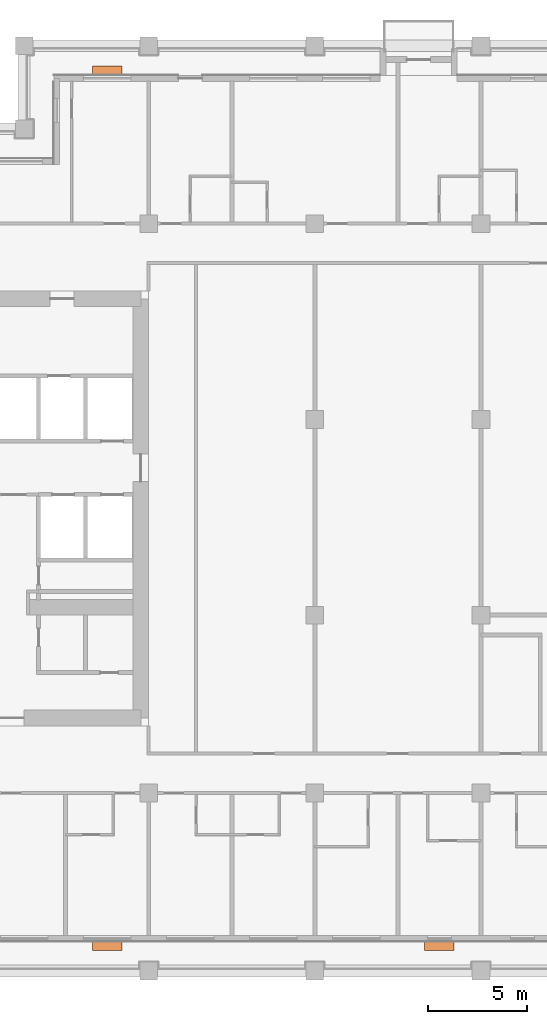
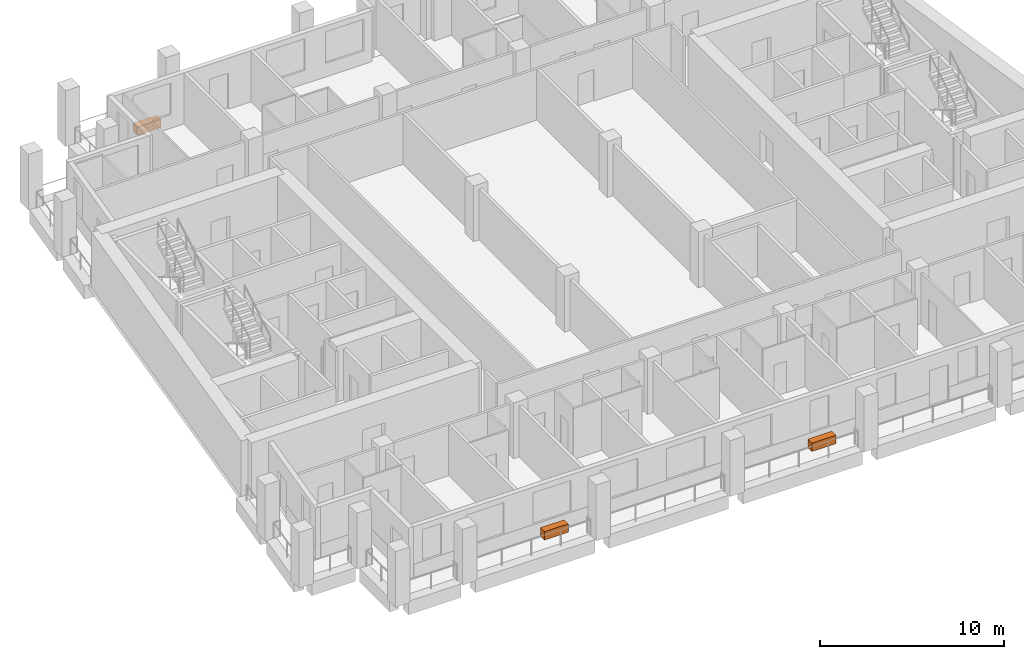
# One storey, part 13 of 13: 3 proxies.
"""IFC4 building model written with IfcOpenShell, lengths in metres."""

from ifc_helpers import new_model, si_unit, direction, frame, origin, origin_2d, place, context, subcontext, project, spatial, rectangle, extrude, element, save


model = new_model("IFC4")

# Units and contexts
model_context = context("Model", 3, precision=1e-05, world=origin(), true_north=direction((0.0, 1.0)))
body_context = subcontext(model_context, "Body", "Model", "MODEL_VIEW")
ifc_project = project(units=[si_unit("LENGTHUNIT", "METRE"), si_unit("AREAUNIT", "SQUARE_METRE"), si_unit("VOLUMEUNIT", "CUBIC_METRE"), si_unit("PLANEANGLEUNIT", "RADIAN"), si_unit("MASSUNIT", "GRAM", prefix="KILO")], contexts=[model_context])

# Site, building, storey
site_placement = place(None, origin())
site = spatial("IfcSite", under=ifc_project, at=site_placement, CompositionType="ELEMENT")
building_placement = place(site_placement, origin())
building = spatial("IfcBuilding", under=site, at=building_placement, Name="Candeia Pilgrim Tower and Theatre", CompositionType="ELEMENT")
storey_placement = place(building_placement, frame((0.0, 0.0, 205.89990234375)))
storey = spatial("IfcBuildingStorey", under=building, at=storey_placement, Name="L49", CompositionType="ELEMENT", Elevation=205.89990234375)

# Proxies
for number, where, z_axis, x_axis, name in (
    (1, (98.699951171875, 99.2548828125, 0.0), (0.0, 0.0, 1.0), (1.0, 0.0, 0.0), "Planter"),
    (2, (115.5, 99.2548828125, 0.0), (0.0, 0.0, 1.0), (1.0, 0.0, 0.0), "Planter"),
    (3, (98.699951171875, 143.544921875, 0.0), (0.0, 0.0, 1.0), (-1.0, 0.0, 0.0), "Planter"),
):
    element("IfcBuildingElementProxy", number, at=place(storey_placement, frame(where, z_axis=z_axis, x_axis=x_axis)), inside=storey, Name=name, ObjectType="PLANTER", PredefinedType="USERDEFINED", context=body_context, shape_type="SweptSolid", body=[
        extrude(rectangle(XDim=1.5, YDim=0.449951171875, at=origin_2d()), origin(), (0.0, 0.0, 1.0), 0.550048828125),
    ])

save(model, "model.ifc")
